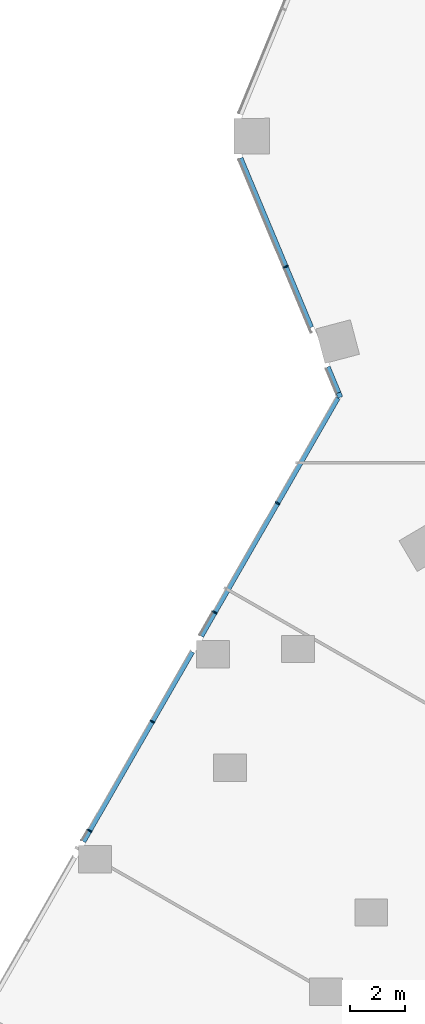
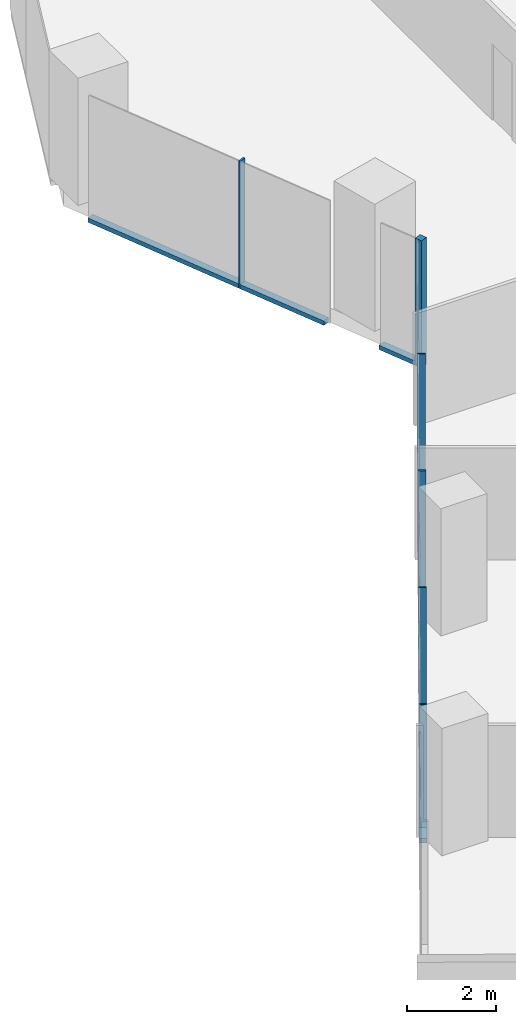
# One storey, part 7 of 35: 10 members, 2 elements without a shape of their own.
"""IFC4 building model written with IfcOpenShell, lengths in metres."""

from ifc_helpers import new_model, si_unit, direction, frame, origin, origin_2d, place, context, subcontext, project, spatial, rectangle, extrude, material, material_profile, profile_set, type_object, element, aggregate, save


model = new_model("IFC4")

# Units and contexts
model_context = context("Model", 3, precision=1e-05, world=origin(), true_north=direction((0.0, 1.0)))
body_context = subcontext(model_context, "Body", "Model", "MODEL_VIEW")
ifc_project = project(units=[si_unit("LENGTHUNIT", "METRE"), si_unit("AREAUNIT", "SQUARE_METRE"), si_unit("VOLUMEUNIT", "CUBIC_METRE"), si_unit("PLANEANGLEUNIT", "RADIAN"), si_unit("MASSUNIT", "GRAM", prefix="KILO")], contexts=[model_context])

# Site, building, storey
site_placement = place(None, origin())
site = spatial("IfcSite", under=ifc_project, at=site_placement, CompositionType="ELEMENT")
building_placement = place(site_placement, origin())
building = spatial("IfcBuilding", under=site, at=building_placement, Name="Orlundy Tower", CompositionType="ELEMENT")
storey_placement = place(building_placement, frame((0.0, 0.0, 116.199951171875)))
storey = spatial("IfcBuildingStorey", under=building, at=storey_placement, Name="L29", CompositionType="ELEMENT", Elevation=116.199951171875)

# Curtain wall, member
ifc_material_1 = material(Name="Aluminium bronze anodised", Category="aluminium")
curtain_wall_type = type_object("IfcCurtainWallType", Name="CW1 wall", PredefinedType="NOTDEFINED", material=ifc_material_1)
curtain_wall_1_placement = place(storey_placement, origin())
curtain_wall_1 = element("IfcCurtainWall", 1, at=curtain_wall_1_placement, inside=storey, type_object=curtain_wall_type, Name="CW1 run 013", PredefinedType="NOTDEFINED")
ifc_material_2 = material(Name="Aluminium bronze anodised", Category="aluminium")
ifc_material_profile_1 = material_profile(ifc_material_2, rectangle(XDim=0.179931640625, YDim=0.179931640625, at=origin_2d()), Name="CW1 corner post 180x180")
ifc_profile_set_1 = profile_set([ifc_material_profile_1], Name="Aluminium bronze anodised")
member_type_1 = type_object("IfcMemberType", Name="CW1 corner post 180x180", PredefinedType="MULLION", material=ifc_profile_set_1)
member_1_placement = place(storey_placement, frame((-28.627197265625, -9.53466796875, -0.39990234375), z_axis=(0.0, 0.0, 1.0), x_axis=(-0.922773195223, -0.385343522299, 0.0)))
member_1 = element("IfcMember", 2, at=member_1_placement, type_object=member_type_1, Name="CW1 mullion 32", PredefinedType="MULLION", context=body_context, shape_type="SweptSolid", body=[
    extrude(rectangle(XDim=0.179931640625, YDim=0.179931640625, at=origin_2d()), origin(), (0.0, 0.0, 1.0), 3.5),
])

# Curtain wall, members
curtain_wall_2_placement = place(storey_placement, origin())
curtain_wall_2 = element("IfcCurtainWall", 3, at=curtain_wall_2_placement, inside=storey, type_object=curtain_wall_type, Name="CW1 run 012", PredefinedType="NOTDEFINED")
ifc_material_3 = material(Name="Aluminium bronze anodised", Category="aluminium")
ifc_material_profile_2 = material_profile(ifc_material_3, rectangle(XDim=0.179931640625, YDim=0.050048828125, at=origin_2d()), Name="CW1 mullion 50x180")
ifc_profile_set_2 = profile_set([ifc_material_profile_2], Name="Aluminium bronze anodised")
member_type_2 = type_object("IfcMemberType", Name="CW1 mullion 50x180", PredefinedType="MULLION", material=ifc_profile_set_2)
member_2_placement = place(storey_placement, frame((-37.73583984375, -25.418212890625, -0.39990234375), z_axis=(0.0, 0.0, 1.0), x_axis=(-0.867482152182, 0.497468306172, 0.0)))
member_2 = element("IfcMember", 4, at=member_2_placement, type_object=member_type_2, Name="CW1 mullion 28", PredefinedType="MULLION", context=body_context, shape_type="SweptSolid", body=[
    extrude(rectangle(XDim=0.179931640625, YDim=0.050048828125, at=origin_2d()), origin(), (0.0, 0.0, 1.0), 3.5),
])
member_3_placement = place(storey_placement, frame((-35.453125, -21.437744140625, -0.39990234375), z_axis=(0.0, 0.0, 1.0), x_axis=(-0.867482152182, 0.497468306172, 0.0)))
member_3 = element("IfcMember", 5, at=member_3_placement, type_object=member_type_2, Name="CW1 mullion 29", PredefinedType="MULLION", context=body_context, shape_type="SweptSolid", body=[
    extrude(rectangle(XDim=0.179931640625, YDim=0.050048828125, at=origin_2d()), origin(), (0.0, 0.0, 1.0), 3.5),
])
member_4_placement = place(storey_placement, frame((-33.17041015625, -17.457275390625, -0.39990234375), z_axis=(0.0, 0.0, 1.0), x_axis=(-0.867482152182, 0.497468306172, 0.0)))
member_4 = element("IfcMember", 6, at=member_4_placement, type_object=member_type_2, Name="CW1 mullion 30", PredefinedType="MULLION", context=body_context, shape_type="SweptSolid", body=[
    extrude(rectangle(XDim=0.179931640625, YDim=0.050048828125, at=origin_2d()), origin(), (0.0, 0.0, 1.0), 3.5),
])
member_5_placement = place(storey_placement, frame((-30.8876953125, -13.476806640625, -0.39990234375), z_axis=(0.0, 0.0, 1.0), x_axis=(-0.867482152182, 0.497468306172, 0.0)))
member_5 = element("IfcMember", 7, at=member_5_placement, type_object=member_type_2, Name="CW1 mullion 31", PredefinedType="MULLION", context=body_context, shape_type="SweptSolid", body=[
    extrude(rectangle(XDim=0.179931640625, YDim=0.050048828125, at=origin_2d()), origin(), (0.0, 0.0, 1.0), 3.5),
])

# Member
member_6_placement = place(storey_placement, frame((-30.58251953125, -4.852294921875, -0.39990234375), z_axis=(0.0, 0.0, 1.0), x_axis=(-0.922773195223, -0.385343522299, 0.0)))
member_6 = element("IfcMember", 8, at=member_6_placement, type_object=member_type_2, Name="CW1 mullion 33", PredefinedType="MULLION", context=body_context, shape_type="SweptSolid", body=[
    extrude(rectangle(XDim=0.179931640625, YDim=0.050048828125, at=origin_2d()), origin(), (0.0, 0.0, 1.0), 3.5),
])

ifc_material_4 = material(Name="Aluminium bronze anodised", Category="aluminium")
ifc_material_profile_3 = material_profile(ifc_material_4, rectangle(XDim=0.179931640625, YDim=0.1201171875, at=origin_2d()), Name="CW1 transom 180x120")
ifc_profile_set_3 = profile_set([ifc_material_profile_3], Name="Aluminium bronze anodised")
member_type_3 = type_object("IfcMemberType", Name="CW1 transom 180x120", PredefinedType="USERDEFINED", material=ifc_profile_set_3)
member_7_placement = place(storey_placement, frame((-37.96337890625, -25.81494140625, -0.33984375), z_axis=(0.497476885388, 0.867477232269, 0.0), x_axis=(-0.867477232269, 0.497476885388, 0.0)))
member_7 = element("IfcMember", 9, at=member_7_placement, type_object=member_type_3, Name="CW1 transom", ObjectType="TRANSOM", PredefinedType="USERDEFINED", context=body_context, shape_type="SweptSolid", body=[
    extrude(rectangle(XDim=0.179931640625, YDim=0.1201171875, at=origin_2d()), origin(), (0.0, 0.0, 1.0), 7.974853515625),
])

member_8_placement = place(storey_placement, frame((-33.668701171875, -18.325927734375, -0.33984375), z_axis=(0.497473834069, 0.867478982118, 0.0), x_axis=(-0.867478982118, 0.497473834069, 0.0)))
member_8 = element("IfcMember", 10, at=member_8_placement, type_object=member_type_3, Name="CW1 transom", ObjectType="TRANSOM", PredefinedType="USERDEFINED", context=body_context, shape_type="SweptSolid", body=[
    extrude(rectangle(XDim=0.179931640625, YDim=0.1201171875, at=origin_2d()), origin(), (0.0, 0.0, 1.0), 10.020751953125),
])

aggregate(curtain_wall_2, [member_2, member_3, member_4, member_5, member_7, member_8])

member_9_placement = place(storey_placement, frame((-28.661865234375, -9.45166015625, -0.33984375), z_axis=(-0.385292880354, 0.922794341307, 0.0), x_axis=(-0.922794341307, -0.385292880354, 0.0)))
member_9 = element("IfcMember", 11, at=member_9_placement, type_object=member_type_3, Name="CW1 transom", ObjectType="TRANSOM", PredefinedType="USERDEFINED", context=body_context, shape_type="SweptSolid", body=[
    extrude(rectangle(XDim=0.179931640625, YDim=0.1201171875, at=origin_2d()), origin(), (0.0, 0.0, 1.0), 1.0234375),
])

member_10_placement = place(storey_placement, frame((-29.658935546875, -7.06396484375, -0.33984375), z_axis=(-0.385343838264, 0.922773063278, 0.0), x_axis=(-0.922773063278, -0.385343838264, 0.0)))
member_10 = element("IfcMember", 12, at=member_10_placement, type_object=member_type_3, Name="CW1 transom", ObjectType="TRANSOM", PredefinedType="USERDEFINED", context=body_context, shape_type="SweptSolid", body=[
    extrude(rectangle(XDim=0.179931640625, YDim=0.1201171875, at=origin_2d()), origin(), (0.0, 0.0, 1.0), 6.68603515625),
])

aggregate(curtain_wall_1, [member_1, member_6, member_9, member_10])

save(model, "model.ifc")
